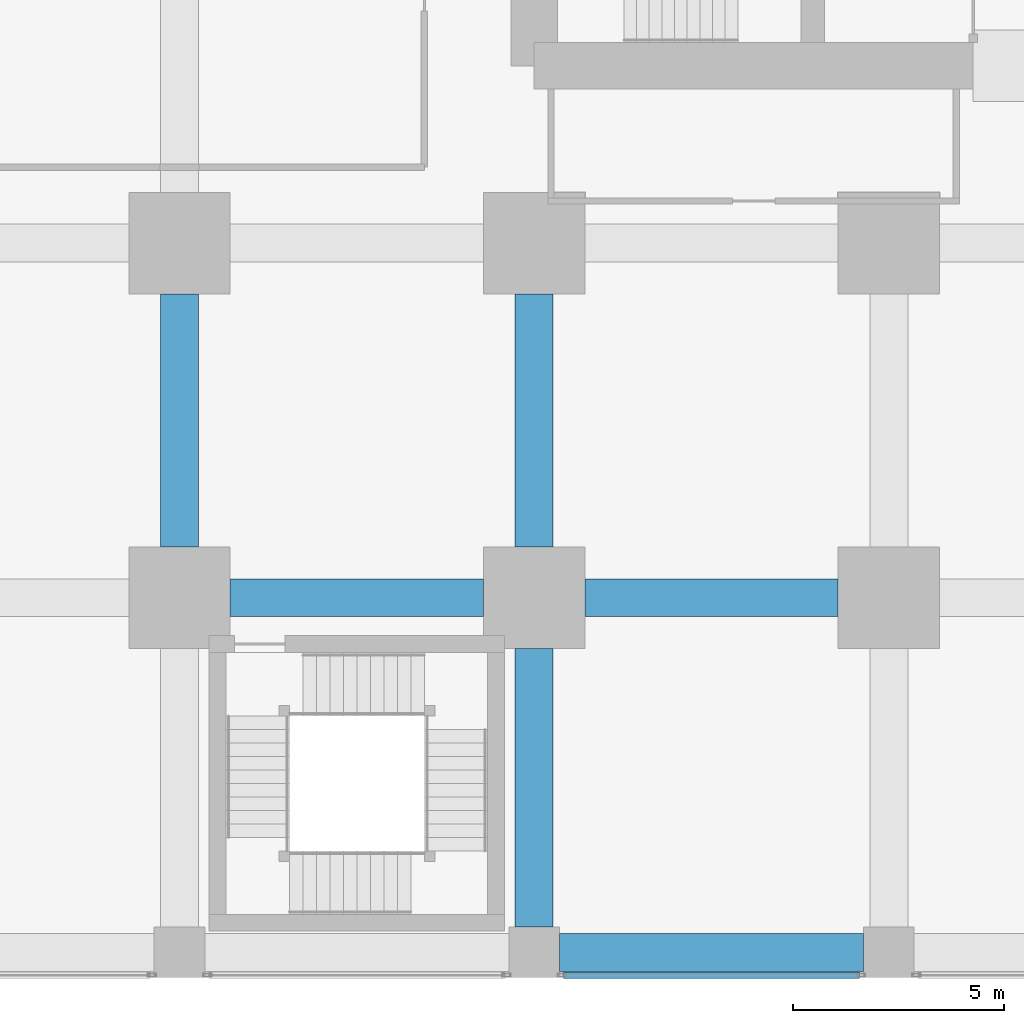
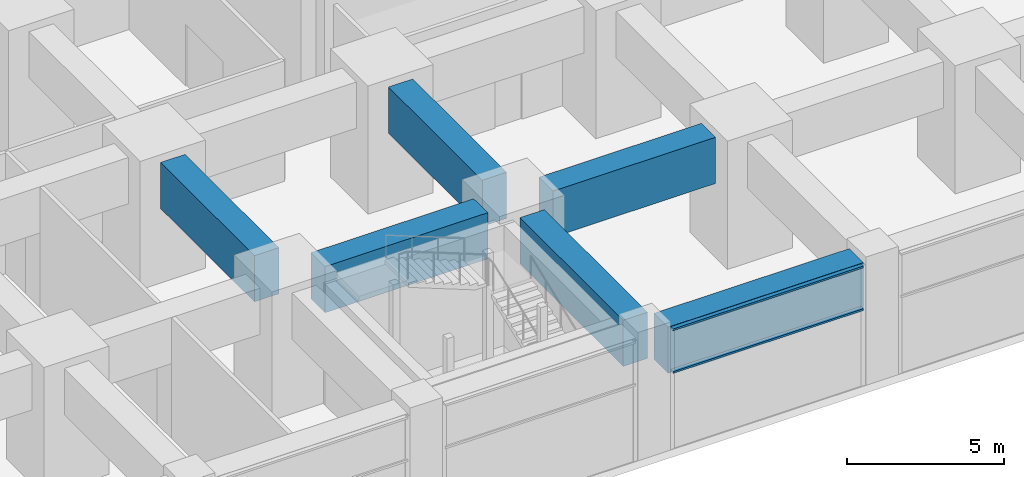
# One storey, part 8 of 49: 6 beams, 2 members, 1 element without a shape of its own.
"""IFC4 building model written with IfcOpenShell, lengths in metres."""

import ifcopenshell
import ifcopenshell.guid

model = None  # the IFC model being written
_history = None  # IfcOwnerHistory: only IFC2X3 demands one
_inside = {}  # id of a spatial element -> (the spatial element, [elements in it])
_under = {}  # id of a project, library or spatial element -> (it, [spatial elements below it])
_declared = {}  # id of a project -> (the project, [libraries it declares])
_typed = {}  # id of a type object -> (the type object, [elements of that type])
_made_of = {}  # id of a material, layer set ... -> (it, [elements and type objects made of it])


def new_model(schema):
    """Start an empty IFC model of exactly this schema.

    Asked for "IFC4X3", IfcOpenShell would pick the latest addendum, in which some entities
    have other attributes; the version numbers below select the first issue.
    IFC2X3 requires an IfcOwnerHistory on every rooted entity: one is made here for all.
    """
    global model, _history
    if schema == "IFC4X3":
        model = ifcopenshell.file(schema_version=(4, 3, 0, 0))
    else:
        model = ifcopenshell.file(schema=schema)
    _inside.clear()
    _under.clear()
    _declared.clear()
    _typed.clear()
    _made_of.clear()
    _history = None
    if model.schema == "IFC2X3":
        org = make("IfcOrganization", Name="unknown")
        user = make(
            "IfcPersonAndOrganization",
            ThePerson=make("IfcPerson", FamilyName="unknown"),
            TheOrganization=org,
        )
        app = make(
            "IfcApplication",
            ApplicationDeveloper=org,
            Version="unknown",
            ApplicationFullName="unknown",
            ApplicationIdentifier="unknown",
        )
        _history = make(
            "IfcOwnerHistory",
            OwningUser=user,
            OwningApplication=app,
            ChangeAction="ADDED",
            CreationDate=0,
        )
    return model


def make(cls, **values):
    """One entity of the class cls with the attributes given. An attribute that is None is left unset."""
    return model.create_entity(
        cls, **{name: value for name, value in values.items() if value is not None}
    )


def rooted(cls, **values):
    """An entity with a GlobalId (a new one), such as an element, a storey or a relation."""
    return make(cls, GlobalId=ifcopenshell.guid.new(), OwnerHistory=_history, **values)


def si_unit(unit_type, name, prefix=None):
    """IfcSIUnit, for example si_unit("LENGTHUNIT", "METRE", prefix="MILLI")."""
    return make("IfcSIUnit", UnitType=unit_type, Prefix=prefix, Name=name)


def assignment(units):
    """IfcUnitAssignment: the units of a project."""
    return None if units is None else make("IfcUnitAssignment", Units=units)


def point(xyz):
    """IfcCartesianPoint."""
    return None if xyz is None else make("IfcCartesianPoint", Coordinates=xyz)


def direction(xyz):
    """IfcDirection."""
    return None if xyz is None else make("IfcDirection", DirectionRatios=xyz)


def frame(location, z_axis=None, x_axis=None):
    """IfcAxis2Placement3D, a coordinate frame: its origin and axes. An axis left out is left unset."""
    return make(
        "IfcAxis2Placement3D",
        Location=point(location),
        Axis=direction(z_axis),
        RefDirection=direction(x_axis),
    )


def frame_2d(location, x_axis=None):
    """IfcAxis2Placement2D, a coordinate frame in the plane: its origin and x axis."""
    return make(
        "IfcAxis2Placement2D", Location=point(location), RefDirection=direction(x_axis)
    )


def origin():
    """The frame at (0, 0, 0) with its axes left unset."""
    return frame((0.0, 0.0, 0.0))


def origin_2d():
    """The frame at (0, 0) in the plane with its x axis left unset."""
    return frame_2d((0.0, 0.0))


def place(relative_to, where):
    """IfcLocalPlacement: puts the frame where relative to a parent placement (None: the world)."""
    return make(
        "IfcLocalPlacement", PlacementRelTo=relative_to, RelativePlacement=where
    )


def context(
    kind, dimensions, precision=None, world=None, true_north=None, identifier=None
):
    """IfcGeometricRepresentationContext, for example the 3D "Model" context."""
    return make(
        "IfcGeometricRepresentationContext",
        ContextIdentifier=identifier,
        ContextType=kind,
        CoordinateSpaceDimension=dimensions,
        Precision=precision,
        WorldCoordinateSystem=world,
        TrueNorth=true_north,
    )


def subcontext(parent, identifier, kind, view, scale=None):
    """IfcGeometricRepresentationSubContext, for example "Body" below "Model"."""
    return make(
        "IfcGeometricRepresentationSubContext",
        ContextIdentifier=identifier,
        ContextType=kind,
        ParentContext=parent,
        TargetScale=scale,
        TargetView=view,
    )


def project(units=None, contexts=None):
    """IfcProject with its units and contexts."""
    return rooted(
        "IfcProject",
        Name="project",
        RepresentationContexts=contexts,
        UnitsInContext=assignment(units),
    )


def spatial(cls, under=None, at=None, **own):
    """A site, building, storey or space (cls), placed at a placement, below another one or the project."""
    s = rooted(cls, ObjectPlacement=at, **own)
    if under is not None:
        _under.setdefault(under.id(), (under, []))[1].append(s)
    return s


def profile(cls, at=None, kind="AREA", **sizes):
    """A parametric profile (cls). Its sizes go by their IFC names, for example OverallWidth=200.0."""
    return make(cls, ProfileType=kind, Position=at, **sizes)


def rectangle(**sizes):
    """IfcRectangleProfileDef."""
    return profile("IfcRectangleProfileDef", **sizes)


def hollow_rectangle(**sizes):
    """IfcRectangleHollowProfileDef."""
    return profile("IfcRectangleHollowProfileDef", **sizes)


def extrude(swept, where, along, depth):
    """IfcExtrudedAreaSolid: the profile swept, set in the frame where, extruded along a direction by depth."""
    return make(
        "IfcExtrudedAreaSolid",
        SweptArea=swept,
        Position=where,
        ExtrudedDirection=direction(along),
        Depth=depth,
    )


def shape(context_of_items, identifier, shape_type, items):
    """IfcShapeRepresentation: the items that make up one representation, for example the "Body"."""
    return make(
        "IfcShapeRepresentation",
        ContextOfItems=context_of_items,
        RepresentationIdentifier=identifier,
        RepresentationType=shape_type,
        Items=items,
    )


def material(Name=None, Category=None):
    """IfcMaterial."""
    return make("IfcMaterial", Name=Name, Category=Category)


def material_profile(
    of_material, cross_section, Name=None, Category=None, Priority=None
):
    """IfcMaterialProfile: a cross section and its material."""
    return make(
        "IfcMaterialProfile",
        Name=Name,
        Material=of_material,
        Profile=cross_section,
        Priority=Priority,
        Category=Category,
    )


def profile_set(profiles, Name=None, composite=None):
    """IfcMaterialProfileSet."""
    return make(
        "IfcMaterialProfileSet",
        Name=Name,
        MaterialProfiles=profiles,
        CompositeProfile=composite,
    )


def made_of(thing, what):
    """Note that an element or type object is made of a material, layer set ...; save() writes the relation."""
    if what is not None:
        _made_of.setdefault(what.id(), (what, []))[1].append(thing)
    return thing


def type_object(cls, material=None, **own):
    """A type object (cls), such as IfcWallType, which elements share."""
    return made_of(rooted(cls, **own), material)


def element(
    cls,
    number,
    at=None,
    inside=None,
    cuts=None,
    type_object=None,
    material=None,
    context=None,
    identifier="Body",
    shape_type=None,
    held_by="IfcProductDefinitionShape",
    body=None,
    shapes=None,
    **own,
):
    """One element of the class cls, such as IfcWall. Its Tag is "e" and its number.

    at: its placement. inside: the storey or other place that contains it. cuts: it is an
    opening in that element (IfcRelVoidsElement). A single representation is given by context,
    identifier, shape_type and body (its items); several are given by shapes. held_by: the class
    of the entity that holds the representations. save() writes the other relations.
    """
    e = rooted(cls, Tag="e%d" % number, ObjectPlacement=at, **own)
    if body is not None:
        shapes = [shape(context, identifier, shape_type, body)]
    if shapes is not None:
        e.Representation = make(held_by, Representations=shapes)
    if inside is not None:
        _inside.setdefault(inside.id(), (inside, []))[1].append(e)
    if cuts is not None:
        rooted(
            "IfcRelVoidsElement", RelatingBuildingElement=cuts, RelatedOpeningElement=e
        )
    if type_object is not None:
        _typed.setdefault(type_object.id(), (type_object, []))[1].append(e)
    return made_of(e, material)


def aggregate(whole, parts):
    """IfcRelAggregates: a whole, such as a stair, and the parts it consists of."""
    return rooted("IfcRelAggregates", RelatingObject=whole, RelatedObjects=parts)


def save(model, path):
    """Write the relations noted so far, then the file.

    IfcRelAggregates (storeys below a building ...), IfcRelContainedInSpatialStructure (elements
    in a storey), IfcRelDefinesByType, IfcRelAssociatesMaterial and IfcRelDeclares: one each for
    every whole, place, type object, material and project.
    """
    for whole, parts in _under.values():
        aggregate(whole, parts)
    for where, things in _inside.values():
        rooted(
            "IfcRelContainedInSpatialStructure",
            RelatedElements=things,
            RelatingStructure=where,
        )
    for kind, things in _typed.values():
        rooted("IfcRelDefinesByType", RelatedObjects=things, RelatingType=kind)
    for what, things in _made_of.values():
        rooted("IfcRelAssociatesMaterial", RelatedObjects=things, RelatingMaterial=what)
    for by, libraries in _declared.values():
        rooted("IfcRelDeclares", RelatingContext=by, RelatedDefinitions=libraries)
    model.write(path)


model = new_model("IFC4")

# Units and contexts
model_context = context("Model", 3, precision=1e-05, world=origin(), true_north=direction((0.0, 1.0)))
body_context = subcontext(model_context, "Body", "Model", "MODEL_VIEW")
ifc_project = project(units=[si_unit("LENGTHUNIT", "METRE"), si_unit("AREAUNIT", "SQUARE_METRE"), si_unit("VOLUMEUNIT", "CUBIC_METRE"), si_unit("PLANEANGLEUNIT", "RADIAN"), si_unit("MASSUNIT", "GRAM", prefix="KILO")], contexts=[model_context])

# Site, building, storey
site_placement = place(None, origin())
site = spatial("IfcSite", under=ifc_project, at=site_placement, CompositionType="ELEMENT")
building_placement = place(site_placement, origin())
building = spatial("IfcBuilding", under=site, at=building_placement, Name="Rekha Terrace Tower", CompositionType="ELEMENT")
storey_placement = place(building_placement, frame((0.0, 0.0, 10.39990234375)))
storey = spatial("IfcBuildingStorey", under=building, at=storey_placement, Name="L02", CompositionType="ELEMENT", Elevation=10.39990234375)

# Curtain wall, members
ifc_material_1 = material(Name="Aluminium framing", Category="aluminium")
curtain_wall_type = type_object("IfcCurtainWallType", Name="CW4 podium shopfront glazing", PredefinedType="USERDEFINED", material=ifc_material_1)
curtain_wall_placement = place(storey_placement, origin())
curtain_wall = element("IfcCurtainWall", 1, at=curtain_wall_placement, inside=storey, type_object=curtain_wall_type, Name="CW4 shopfront curtain wall", ObjectType="SHOPFRONT CURTAIN WALL", PredefinedType="USERDEFINED")
ifc_material_2 = material(Name="Aluminium transom section", Category="aluminium")
ifc_material_profile_1 = material_profile(ifc_material_2, hollow_rectangle(XDim=0.14990234375, YDim=0.074951171875, WallThickness=0.0029296875, at=origin_2d()), Name="AL RHS 150x75")
ifc_profile_set_1 = profile_set([ifc_material_profile_1], Name="Aluminium transom section")
member_type = type_object("IfcMemberType", Name="CW4 transom RHS 75 x 150", PredefinedType="USERDEFINED", material=ifc_profile_set_1)
member_1_placement = place(storey_placement, frame((25.89501953125, -0.5400390625, 3.0), z_axis=(1.0, 0.0, 0.0), x_axis=(0.0, 1.0, 0.0)))
member_1 = element("IfcMember", 2, at=member_1_placement, type_object=member_type, Name="CW4 transom 1.2", ObjectType="TRANSOM", PredefinedType="USERDEFINED", context=body_context, shape_type="SweptSolid", body=[
    extrude(hollow_rectangle(XDim=0.14990234375, YDim=0.074951171875, WallThickness=0.0029296875, at=origin_2d()), origin(), (0.0, 0.0, 1.0), 7.010009765625),
])
member_2_placement = place(storey_placement, frame((25.89501953125, -0.5400390625, 4.66259765625), z_axis=(1.0, 0.0, 0.0), x_axis=(0.0, 1.0, 0.0)))
member_2 = element("IfcMember", 3, at=member_2_placement, type_object=member_type, Name="CW4 transom 1.3", ObjectType="TRANSOM", PredefinedType="USERDEFINED", context=body_context, shape_type="SweptSolid", body=[
    extrude(hollow_rectangle(XDim=0.14990234375, YDim=0.074951171875, WallThickness=0.0029296875, at=origin_2d()), origin(), (0.0, 0.0, 1.0), 7.010009765625),
])
aggregate(curtain_wall, [member_1, member_2])

# Beams
ifc_material_3 = material(Name="Concrete M60", Category="concrete")
ifc_material_profile_2 = material_profile(ifc_material_3, rectangle(XDim=0.89990234375, YDim=1.800048828125, at=origin_2d()), Name="RC 900x1800")
ifc_profile_set_2 = profile_set([ifc_material_profile_2], Name="Concrete M60")
beam_type = type_object("IfcBeamType", Name="G1 900x1800 podium floor beam", PredefinedType="BEAM", material=ifc_profile_set_2)
for number, where, z_axis, x_axis, name in (
    (4, (18.0, 8.39990234375, 3.800048828125), (1.0, 0.0, 0.0), (0.0, 1.0, 0.0), "Beam G1 3B-4B under L03"),
    (5, (16.800048828125, 9.60009765625, 3.800048828125), (0.0, 1.0, 0.0), (-1.0, 0.0, 0.0), "Beam G1 3B-3C under L03"),
):
    element("IfcBeam", number, at=place(storey_placement, frame(where, z_axis=z_axis, x_axis=x_axis)), inside=storey, type_object=beam_type, Name=name, PredefinedType="BEAM", context=body_context, shape_type="SweptSolid", body=[
        extrude(rectangle(XDim=0.89990234375, YDim=1.800048828125, at=origin_2d()), origin(), (0.0, 0.0, 1.0), 6.0),
    ])
beam_1_placement = place(storey_placement, frame((25.800048828125, 0.0, 3.800048828125), z_axis=(1.0, 0.0, 0.0), x_axis=(0.0, 1.0, 0.0)))
element("IfcBeam", 6, at=beam_1_placement, inside=storey, type_object=beam_type, Name="Beam G1 4A-5A under L03", PredefinedType="BEAM", context=body_context, shape_type="SweptSolid", body=[
    extrude(rectangle(XDim=0.89990234375, YDim=1.800048828125, at=origin_2d()), origin(), (0.0, 0.0, 1.0), 7.199951171875),
])
beam_2_placement = place(storey_placement, frame((25.199951171875, 0.60009765625, 3.800048828125), z_axis=(0.0, 1.0, 0.0), x_axis=(-1.0, 0.0, 0.0)))
element("IfcBeam", 7, at=beam_2_placement, inside=storey, type_object=beam_type, Name="Beam G1 4A-4B under L03", PredefinedType="BEAM", context=body_context, shape_type="SweptSolid", body=[
    extrude(rectangle(XDim=0.89990234375, YDim=1.800048828125, at=origin_2d()), origin(), (0.0, 0.0, 1.0), 6.599853515625),
])
for number, where, z_axis, x_axis, name in (
    (8, (26.39990234375, 8.39990234375, 3.800048828125), (1.0, 0.0, 0.0), (0.0, 1.0, 0.0), "Beam G1 4B-5B under L03"),
    (9, (25.199951171875, 9.60009765625, 3.800048828125), (0.0, 1.0, 0.0), (-1.0, 0.0, 0.0), "Beam G1 4B-4C under L03"),
):
    element("IfcBeam", number, at=place(storey_placement, frame(where, z_axis=z_axis, x_axis=x_axis)), inside=storey, type_object=beam_type, Name=name, PredefinedType="BEAM", context=body_context, shape_type="SweptSolid", body=[
        extrude(rectangle(XDim=0.89990234375, YDim=1.800048828125, at=origin_2d()), origin(), (0.0, 0.0, 1.0), 6.0),
    ])

save(model, "model.ifc")
